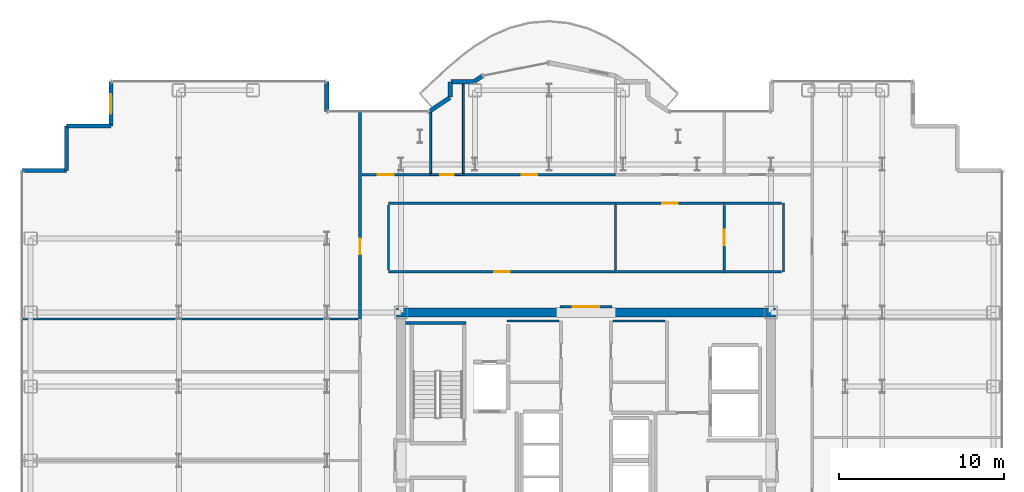
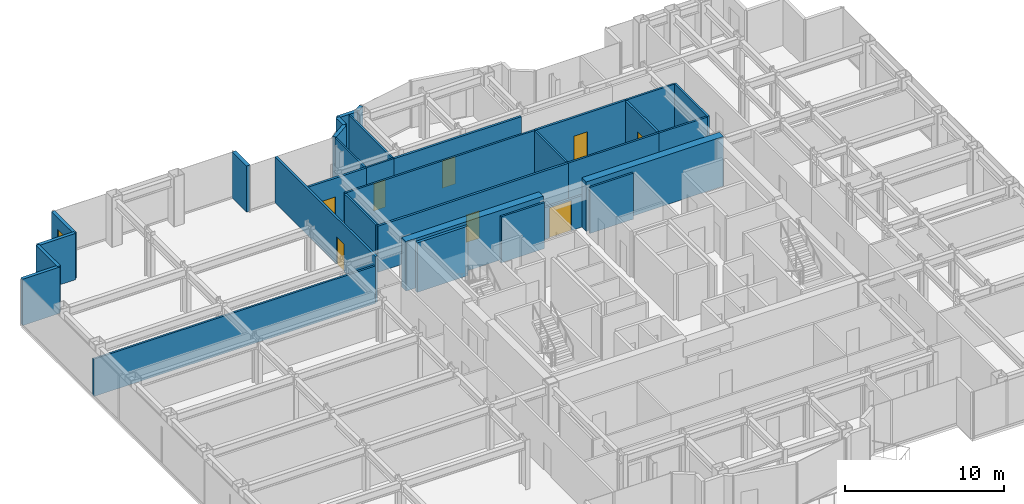
# One storey, part 19 of 22: 32 walls, 8 doors, 1 window, 9 openings.
"""IFC4 building model written with IfcOpenShell, lengths in metres."""

from ifc_helpers import new_model, si_unit, direction, frame, frame_2d, origin, place, context, subcontext, project, spatial, rectangle, extrude, source, transform, mapped, material, layer, layer_set, type_object, element, fill, save


model = new_model("IFC4")

# Units and contexts
model_context = context("Model", 3, precision=1e-05, world=origin(), true_north=direction((0.0, 1.0)))
body_context = subcontext(model_context, "Body", "Model", "MODEL_VIEW")
ifc_project = project(units=[si_unit("LENGTHUNIT", "METRE"), si_unit("AREAUNIT", "SQUARE_METRE"), si_unit("VOLUMEUNIT", "CUBIC_METRE"), si_unit("PLANEANGLEUNIT", "RADIAN"), si_unit("MASSUNIT", "GRAM", prefix="KILO")], contexts=[model_context])

# Site, building, storey
site_placement = place(None, origin())
site = spatial("IfcSite", under=ifc_project, at=site_placement, CompositionType="ELEMENT")
building_placement = place(site_placement, origin())
building = spatial("IfcBuilding", under=site, at=building_placement, Name="Nefas-Gora Pilgrimage Tower", CompositionType="ELEMENT")
storey_placement = place(building_placement, frame((0.0, 0.0, 186.800048828125)))
storey = spatial("IfcBuildingStorey", under=building, at=storey_placement, Name="L46", CompositionType="ELEMENT", Elevation=186.800048828125)

# Walls
ifc_material_1 = material(Name="Concrete C60/75", Category="concrete")
ifc_layer_1 = layer(ifc_material_1, 0.550048828125)
ifc_layer_set_1 = layer_set([ifc_layer_1], Name="Concrete C60/75")
wall_type_1 = type_object("IfcWallType", Name="SW-CORE-550", PredefinedType="SHEAR", material=ifc_layer_set_1)
shared_shape_1 = source(origin(), body_context, "Body", "SweptSolid", [
    extrude(rectangle(XDim=9.974853515625, YDim=0.550048828125, at=frame_2d((4.9873046875, 0.0))), origin(), (0.0, 0.0, 1.0), 3.800048828125),
])
for number, where, z_axis, x_axis, name in (
    (1, (-11.52490234375, 9.0, 0.0), (0.0, 0.0, 1.0), (1.0, 0.0, 0.0), "L46 Core Shear Wall N-West"),
    (2, (1.550048828125, 9.0, 0.0), (0.0, 0.0, 1.0), (1.0, 0.0, 0.0), "L46 Core Shear Wall N-East"),
):
    element("IfcWall", number, at=place(storey_placement, frame(where, z_axis=z_axis, x_axis=x_axis)), inside=storey, type_object=wall_type_1, Name=name, PredefinedType="SHEAR", context=body_context, shape_type="MappedRepresentation", body=[
        mapped(shared_shape_1, transform((0.0, 0.0, 0.0), x_axis=(1.0, 0.0, 0.0), y_axis=(0.0, 1.0, 0.0), z_axis=(0.0, 0.0, 1.0), scale=1.0)),
    ])
ifc_material_2 = material(Name="Precast concrete C40/50", Category="concrete")
ifc_layer_2 = layer(ifc_material_2, 0.260009765625)
ifc_layer_set_2 = layer_set([ifc_layer_2], Name="Precast concrete C40/50")
wall_type_2 = type_object("IfcWallType", Name="EW-PORTAL-260", PredefinedType="SOLIDWALL", material=ifc_layer_set_2)
shared_shape_2 = source(origin(), body_context, "Body", "SweptSolid", [
    extrude(rectangle(XDim=1.800048828125, YDim=0.260009765625, at=frame_2d((0.89990234375, 0.0))), origin(), (0.0, 0.0, 1.0), 3.550048828125),
])
wall_1_placement = place(storey_placement, frame((-15.75, 21.219970703125, 0.0), z_axis=(0.0, 0.0, 1.0), x_axis=(0.0, 1.0, 0.0)))
element("IfcWall", 3, at=wall_1_placement, inside=storey, type_object=wall_type_2, Name="L46 Lobe Shoulder Precast Spandrel Pier 20", PredefinedType="SOLIDWALL", context=body_context, shape_type="MappedRepresentation", body=[
    mapped(shared_shape_2, transform((0.0, 0.0, 0.0), x_axis=(1.0, 0.0, 0.0), y_axis=(0.0, 1.0, 0.0), z_axis=(0.0, 0.0, 1.0), scale=1.0)),
])

# Wall, opening, window
ifc_material_3 = material(Name="Precast concrete C45/55", Category="concrete")
ifc_layer_3 = layer(ifc_material_3, 0.239990234375)
ifc_layer_set_3 = layer_set([ifc_layer_3], Name="Precast concrete C45/55")
wall_type_3 = type_object("IfcWallType", Name="EW-SERR-240", PredefinedType="SHEAR", material=ifc_layer_set_3)
shared_shape_3 = source(origin(), body_context, "Body", "SweptSolid", [
    extrude(rectangle(XDim=2.699951171875, YDim=0.239990234375, at=frame_2d((1.35009765625, 0.0))), origin(), (0.0, 0.0, 1.0), 3.550048828125),
])
wall_2_placement = place(storey_placement, frame((-28.8701171875, 23.02001953125, 0.0), z_axis=(0.0, 0.0, 1.0), x_axis=(0.0, -1.0, 0.0)))
wall_2 = element("IfcWall", 4, at=wall_2_placement, inside=storey, type_object=wall_type_3, Name="L46 Serrated Corner Shear Pier Wall 21", PredefinedType="SHEAR", context=body_context, shape_type="MappedRepresentation", body=[
    mapped(shared_shape_3, transform((0.0, 0.0, 0.0), x_axis=(1.0, 0.0, 0.0), y_axis=(0.0, 1.0, 0.0), z_axis=(0.0, 0.0, 1.0), scale=1.0)),
])
opening_1_placement = place(wall_2_placement, frame((0.75, 0.0, 0.85009765625)))
opening_1 = element("IfcOpeningElement", 5, at=opening_1_placement, cuts=wall_2, Name="Opening W-V1", PredefinedType="OPENING", context=body_context, shape_type="SweptSolid", body=[
    extrude(rectangle(XDim=1.199951171875, YDim=1.800048828125, at=frame_2d((0.60009765625, 0.89990234375))), frame((0.0, 0.1298828125, 0.0), z_axis=(0.0, -1.0, 0.0), x_axis=(1.0, 0.0, 0.0)), (0.0, 0.0, 1.0), 0.260009765625),
])
ifc_material_4 = material(Name="Dark ceramic-fritted operable aluminium-glass window", Category="aluminium")
window_type = type_object("IfcWindowType", Name="WIN-VENT-1200x1800", PartitioningType="SINGLE_PANEL", PredefinedType="WINDOW", material=ifc_material_4)
shared_shape_4 = source(origin(), body_context, "Body", "SweptSolid", [
    extrude(rectangle(XDim=1.199951171875, YDim=1.800048828125, at=frame_2d((0.60009765625, 0.89990234375))), frame((0.0, 0.030029296875, 0.0), z_axis=(0.0, -1.0, 0.0), x_axis=(1.0, 0.0, 0.0)), (0.0, 0.0, 1.0), 0.06005859375),
])
window_placement = place(opening_1_placement, origin())
window = element("IfcWindow", 6, at=window_placement, inside=storey, type_object=window_type, Name="L46 Operable Parallel-Outswing Window 21", OverallHeight=1.800048828125, OverallWidth=1.199951171875, PartitioningType="SINGLE_PANEL", PredefinedType="WINDOW", context=body_context, shape_type="MappedRepresentation", body=[
    mapped(shared_shape_4, transform((0.0, 0.0, 0.0), x_axis=(1.0, 0.0, 0.0), y_axis=(0.0, 1.0, 0.0), z_axis=(0.0, 0.0, 1.0), scale=1.0)),
])
fill(opening_1, window)

# Walls
for number, where, z_axis, x_axis, name in (
    (7, (-28.8701171875, 20.320068359375, 0.0), (0.0, 0.0, 1.0), (-1.0, 0.0, 0.0), "L46 Serrated Corner Shear Pier Wall 22"),
    (8, (-31.570068359375, 20.320068359375, 0.0), (0.0, 0.0, 1.0), (0.0, -1.0, 0.0), "L46 Serrated Corner Shear Pier Wall 23"),
    (9, (-31.570068359375, 17.6201171875, 0.0), (0.0, 0.0, 1.0), (-1.0, 0.0, 0.0), "L46 Serrated Corner Shear Pier Wall 24"),
):
    element("IfcWall", number, at=place(storey_placement, frame(where, z_axis=z_axis, x_axis=x_axis)), inside=storey, type_object=wall_type_3, Name=name, PredefinedType="SHEAR", context=body_context, shape_type="MappedRepresentation", body=[
        mapped(shared_shape_3, transform((0.0, 0.0, 0.0), x_axis=(1.0, 0.0, 0.0), y_axis=(0.0, 1.0, 0.0), z_axis=(0.0, 0.0, 1.0), scale=1.0)),
    ])
shared_shape_5 = source(origin(), body_context, "Body", "SweptSolid", [
    extrude(rectangle(XDim=1.468994140625, YDim=0.260009765625, at=frame_2d((0.734375, 0.0))), origin(), (0.0, 0.0, 1.0), 3.550048828125),
])
wall_3_placement = place(storey_placement, frame((-8.273193359375, 22.0517578125, 0.0), z_axis=(0.0, 0.0, 1.0), x_axis=(-0.831461760506, -0.555581983884, 0.0)))
element("IfcWall", 10, at=wall_3_placement, inside=storey, type_object=wall_type_2, Name="L46 Lobe Shoulder Precast Spandrel Pier 19", PredefinedType="SOLIDWALL", context=body_context, shape_type="MappedRepresentation", body=[
    mapped(shared_shape_5, transform((0.0, 0.0, 0.0), x_axis=(1.0, 0.0, 0.0), y_axis=(0.0, 1.0, 0.0), z_axis=(0.0, 0.0, 1.0), scale=1.0)),
])
shared_shape_6 = source(origin(), body_context, "Body", "SweptSolid", [
    extrude(rectangle(XDim=0.896728515625, YDim=0.260009765625, at=frame_2d((0.4482421875, 0.0))), origin(), (0.0, 0.0, 1.0), 3.550048828125),
])
wall_4_placement = place(storey_placement, frame((-8.25, 22.991943359375, 0.0), z_axis=(0.0, 0.0, 1.0), x_axis=(0.0, -1.0, 0.0)))
element("IfcWall", 11, at=wall_4_placement, inside=storey, type_object=wall_type_2, Name="L46 Lobe Shoulder Precast Spandrel Pier 18", PredefinedType="SOLIDWALL", context=body_context, shape_type="MappedRepresentation", body=[
    mapped(shared_shape_6, transform((0.0, 0.0, 0.0), x_axis=(1.0, 0.0, 0.0), y_axis=(0.0, 1.0, 0.0), z_axis=(0.0, 0.0, 1.0), scale=1.0)),
])
shared_shape_7 = source(origin(), body_context, "Body", "SweptSolid", [
    extrude(rectangle(XDim=1.369873046875, YDim=0.260009765625, at=frame_2d((0.68505859375, 0.0))), origin(), (0.0, 0.0, 1.0), 3.550048828125),
])
wall_5_placement = place(storey_placement, frame((-6.85205078125, 23.02001953125, 0.0), z_axis=(0.0, 0.0, 1.0), x_axis=(-1.0, 0.0, 0.0)))
element("IfcWall", 12, at=wall_5_placement, inside=storey, type_object=wall_type_2, Name="L46 Lobe Shoulder Precast Spandrel Pier 17", PredefinedType="SOLIDWALL", context=body_context, shape_type="MappedRepresentation", body=[
    mapped(shared_shape_7, transform((0.0, 0.0, 0.0), x_axis=(1.0, 0.0, 0.0), y_axis=(0.0, 1.0, 0.0), z_axis=(0.0, 0.0, 1.0), scale=1.0)),
])
shared_shape_8 = source(origin(), body_context, "Body", "SweptSolid", [
    extrude(rectangle(XDim=0.5654296875, YDim=0.260009765625, at=frame_2d((0.28271484375, 0.0))), origin(), (0.0, 0.0, 1.0), 3.550048828125),
])
wall_6_placement = place(storey_placement, frame((-6.33056640625, 23.349609375, 0.0), z_axis=(0.0, 0.0, 1.0), x_axis=(-0.831651492666, -0.555297933317, 0.0)))
element("IfcWall", 13, at=wall_6_placement, inside=storey, type_object=wall_type_2, Name="L46 Lobe Shoulder Precast Spandrel Pier 16", PredefinedType="SOLIDWALL", context=body_context, shape_type="MappedRepresentation", body=[
    mapped(shared_shape_8, transform((0.0, 0.0, 0.0), x_axis=(1.0, 0.0, 0.0), y_axis=(0.0, 1.0, 0.0), z_axis=(0.0, 0.0, 1.0), scale=1.0)),
])
ifc_material_5 = material(Name="Concrete C45/55", Category="concrete")
ifc_layer_4 = layer(ifc_material_5, 0.199951171875)
ifc_layer_set_4 = layer_set([ifc_layer_4], Name="Concrete C45/55")
wall_type_4 = type_object("IfcWallType", Name="IW-STAIR-200", PredefinedType="SOLIDWALL", material=ifc_layer_set_4)
shared_shape_9 = source(origin(), body_context, "Body", "SweptSolid", [
    extrude(rectangle(XDim=3.679931640625, YDim=0.199951171875, at=frame_2d((1.83984375, 0.0))), origin(), (0.0, 0.0, 1.0), 3.800048828125),
])
wall_7_placement = place(storey_placement, frame((-7.300048828125, 8.35009765625, 0.0), z_axis=(0.0, 0.0, 1.0), x_axis=(-1.0, 0.0, 0.0)))
element("IfcWall", 14, at=wall_7_placement, inside=storey, type_object=wall_type_4, Name="L46 Stairwell Shear Wall ST-01-far", PredefinedType="SOLIDWALL", context=body_context, shape_type="MappedRepresentation", body=[
    mapped(shared_shape_9, transform((0.0, 0.0, 0.0), x_axis=(1.0, 0.0, 0.0), y_axis=(0.0, 1.0, 0.0), z_axis=(0.0, 0.0, 1.0), scale=1.0)),
])

# Wall, opening, door
ifc_material_6 = material(Name="Moisture-resistant fire-rated gypsum partition")
ifc_layer_5 = layer(ifc_material_6, 0.1201171875)
ifc_layer_set_5 = layer_set([ifc_layer_5], Name="Moisture-resistant fire-rated gypsum partition")
wall_type_5 = type_object("IfcWallType", Name="IW-WET-120", PredefinedType="PLUMBINGWALL", material=ifc_layer_set_5)
shared_shape_10 = source(origin(), body_context, "Body", "SweptSolid", [
    extrude(rectangle(XDim=2.02001953125, YDim=0.1201171875, at=frame_2d((1.010009765625, 0.0))), origin(), (0.0, 0.0, 1.0), 3.534912109375),
])
wall_8_placement = place(storey_placement, frame((-9.4599609375, 17.3701171875, 0.0), z_axis=(0.0, 0.0, 1.0), x_axis=(1.0, 0.0, 0.0)))
wall_8 = element("IfcWall", 15, at=wall_8_placement, inside=storey, type_object=wall_type_5, Name="L46 Accessible Unisex WC Partition Wall 29", PredefinedType="PLUMBINGWALL", context=body_context, shape_type="MappedRepresentation", body=[
    mapped(shared_shape_10, transform((0.0, 0.0, 0.0), x_axis=(1.0, 0.0, 0.0), y_axis=(0.0, 1.0, 0.0), z_axis=(0.0, 0.0, 1.0), scale=1.0)),
])
opening_2_placement = place(wall_8_placement, frame((0.5849609375, 0.0, 0.0)))
opening_2 = element("IfcOpeningElement", 16, at=opening_2_placement, cuts=wall_8, Name="Opening ID-BT1", PredefinedType="OPENING", context=body_context, shape_type="SweptSolid", body=[
    extrude(rectangle(XDim=0.85009765625, YDim=2.10009765625, at=frame_2d((0.425048828125, 1.050048828125))), frame((0.0, 0.070068359375, 0.0), z_axis=(0.0, -1.0, 0.0), x_axis=(1.0, 0.0, 0.0)), (0.0, 0.0, 1.0), 0.14013671875),
])
ifc_material_7 = material(Name="Moisture-resistant fire-rated timber door", Category="wood")
door_type_1 = type_object("IfcDoorType", Name="DR-INT-BATH-850", OperationType="NOTDEFINED", PredefinedType="DOOR", material=ifc_material_7)
shared_shape_11 = source(origin(), body_context, "Body", "SweptSolid", [
    extrude(rectangle(XDim=0.85009765625, YDim=2.10009765625, at=frame_2d((0.425048828125, 1.050048828125))), frame((0.0, 0.02490234375, 0.0), z_axis=(0.0, -1.0, 0.0), x_axis=(1.0, 0.0, 0.0)), (0.0, 0.0, 1.0), 0.050048828125),
])
door_1_placement = place(opening_2_placement, origin())
door_1 = element("IfcDoor", 17, at=door_1_placement, inside=storey, type_object=door_type_1, Name="L46 Accessible Unisex WC Door 12", OperationType="SINGLE_SWING_LEFT", OverallHeight=2.10009765625, OverallWidth=0.85009765625, PredefinedType="DOOR", context=body_context, shape_type="MappedRepresentation", body=[
    mapped(shared_shape_11, transform((0.0, 0.0, 0.0), x_axis=(1.0, 0.0, 0.0), y_axis=(0.0, 1.0, 0.0), z_axis=(0.0, 0.0, 1.0), scale=1.0)),
])
fill(opening_2, door_1)

# Walls
ifc_material_8 = material(Name="Gypsum twin-stud partition")
ifc_layer_6 = layer(ifc_material_8, 0.139892578125)
ifc_layer_set_6 = layer_set([ifc_layer_6], Name="Gypsum twin-stud partition")
wall_type_6 = type_object("IfcWallType", Name="IW-UNIT-140", PredefinedType="PARTITIONING", material=ifc_layer_set_6)
shared_shape_12 = source(origin(), body_context, "Body", "SweptSolid", [
    extrude(rectangle(XDim=3.150146484375, YDim=0.139892578125, at=frame_2d((1.5751953125, 0.0))), origin(), (0.0, 0.0, 1.0), 3.534912109375),
])
for number, where, z_axis, x_axis, name in (
    (18, (-4.7900390625, 8.47998046875, 0.0), (0.0, 0.0, 1.0), (1.0, 0.0, 0.0), "L46 Archival Supply Store Partition Wall 21"),
    (19, (1.639892578125, 8.47998046875, 0.0), (0.0, 0.0, 1.0), (1.0, 0.0, 0.0), "L46 Amenity Supply Store Partition Wall 25"),
):
    element("IfcWall", number, at=place(storey_placement, frame(where, z_axis=z_axis, x_axis=x_axis)), inside=storey, type_object=wall_type_6, Name=name, PredefinedType="PARTITIONING", context=body_context, shape_type="MappedRepresentation", body=[
        mapped(shared_shape_12, transform((0.0, 0.0, 0.0), x_axis=(1.0, 0.0, 0.0), y_axis=(0.0, 1.0, 0.0), z_axis=(0.0, 0.0, 1.0), scale=1.0)),
    ])

# Wall, opening, door
ifc_material_9 = material(Name="Gypsum acoustic stud partition")
ifc_layer_7 = layer(ifc_material_9, 0.159912109375)
ifc_layer_set_7 = layer_set([ifc_layer_7], Name="Gypsum acoustic stud partition")
wall_type_7 = type_object("IfcWallType", Name="IW-CORR-160", PredefinedType="PARTITIONING", material=ifc_layer_set_7)
shared_shape_13 = source(origin(), body_context, "Body", "SweptSolid", [
    extrude(rectangle(XDim=12.64501953125, YDim=0.159912109375, at=frame_2d((6.322509765625, 0.0))), origin(), (0.0, 0.0, 1.0), 3.534912109375),
])
wall_9_placement = place(storey_placement, frame((-13.739990234375, 8.594970703125, 0.0), z_axis=(0.0, 0.0, 1.0), x_axis=(0.0, 1.0, 0.0)))
wall_9 = element("IfcWall", 20, at=wall_9_placement, inside=storey, type_object=wall_type_7, Name="L46 Pilgrim Contemplative Lounge Partition Wall 42", PredefinedType="PARTITIONING", context=body_context, shape_type="MappedRepresentation", body=[
    mapped(shared_shape_13, transform((0.0, 0.0, 0.0), x_axis=(1.0, 0.0, 0.0), y_axis=(0.0, 1.0, 0.0), z_axis=(0.0, 0.0, 1.0), scale=1.0)),
])
opening_3_placement = place(wall_9_placement, frame((3.9326171875, 0.0, 0.0)))
opening_3 = element("IfcOpeningElement", 21, at=opening_3_placement, cuts=wall_9, Name="Opening ID-GR1", PredefinedType="OPENING", context=body_context, shape_type="SweptSolid", body=[
    extrude(rectangle(XDim=0.949951171875, YDim=2.10009765625, at=frame_2d((0.47509765625, 1.050048828125))), frame((0.0, 0.08984375, 0.0), z_axis=(0.0, -1.0, 0.0), x_axis=(1.0, 0.0, 0.0)), (0.0, 0.0, 1.0), 0.179931640625),
])
ifc_material_10 = material(Name="Solid core oak fire-rated guest entrance door")
door_type_2 = type_object("IfcDoorType", Name="DR-INT-GUEST-950", OperationType="NOTDEFINED", PredefinedType="DOOR", material=ifc_material_10)
shared_shape_14 = source(origin(), body_context, "Body", "SweptSolid", [
    extrude(rectangle(XDim=0.949951171875, YDim=2.10009765625, at=frame_2d((0.47509765625, 1.050048828125))), frame((0.0, 0.02490234375, 0.0), z_axis=(0.0, -1.0, 0.0), x_axis=(1.0, 0.0, 0.0)), (0.0, 0.0, 1.0), 0.050048828125),
])
door_2_placement = place(opening_3_placement, origin())
door_2 = element("IfcDoor", 22, at=door_2_placement, inside=storey, type_object=door_type_2, Name="L46 Pilgrim Contemplative Lounge Door 18", OperationType="SINGLE_SWING_LEFT", OverallHeight=2.10009765625, OverallWidth=0.949951171875, PredefinedType="DOOR", context=body_context, shape_type="MappedRepresentation", body=[
    mapped(shared_shape_14, transform((0.0, 0.0, 0.0), x_axis=(1.0, 0.0, 0.0), y_axis=(0.0, 1.0, 0.0), z_axis=(0.0, 0.0, 1.0), scale=1.0)),
])
fill(opening_3, door_2)

shared_shape_15 = source(origin(), body_context, "Body", "SweptSolid", [
    extrude(rectangle(XDim=6.610107421875, YDim=0.159912109375, at=frame_2d((3.30517578125, 0.0))), origin(), (0.0, 0.0, 1.0), 3.534912109375),
])
wall_10_placement = place(storey_placement, frame((1.794921875, 15.6298828125, 0.0), z_axis=(0.0, 0.0, 1.0), x_axis=(1.0, 0.0, 0.0)))
wall_10 = element("IfcWall", 23, at=wall_10_placement, inside=storey, type_object=wall_type_7, Name="L46 Pastoral Chaplains Counselling Office Partition Wall 61", PredefinedType="PARTITIONING", context=body_context, shape_type="MappedRepresentation", body=[
    mapped(shared_shape_15, transform((0.0, 0.0, 0.0), x_axis=(1.0, 0.0, 0.0), y_axis=(0.0, 1.0, 0.0), z_axis=(0.0, 0.0, 1.0), scale=1.0)),
])
opening_4_placement = place(wall_10_placement, frame((2.830078125, 0.0, 0.0)))
opening_4 = element("IfcOpeningElement", 24, at=opening_4_placement, cuts=wall_10, Name="Opening ID-GR1", PredefinedType="OPENING", context=body_context, shape_type="SweptSolid", body=[
    extrude(rectangle(XDim=0.949951171875, YDim=2.10009765625, at=frame_2d((0.47509765625, 1.050048828125))), frame((0.0, 0.08984375, 0.0), z_axis=(0.0, -1.0, 0.0), x_axis=(1.0, 0.0, 0.0)), (0.0, 0.0, 1.0), 0.179931640625),
])
door_3_placement = place(opening_4_placement, origin())
door_3 = element("IfcDoor", 25, at=door_3_placement, inside=storey, type_object=door_type_2, Name="L46 Pastoral Chaplains Counselling Office Door 28", OperationType="SINGLE_SWING_LEFT", OverallHeight=2.10009765625, OverallWidth=0.949951171875, PredefinedType="DOOR", context=body_context, shape_type="MappedRepresentation", body=[
    mapped(shared_shape_14, transform((0.0, 0.0, 0.0), x_axis=(1.0, 0.0, 0.0), y_axis=(0.0, 1.0, 0.0), z_axis=(0.0, 0.0, 1.0), scale=1.0)),
])
fill(opening_4, door_3)

shared_shape_16 = source(origin(), body_context, "Body", "SweptSolid", [
    extrude(rectangle(XDim=3.16015625, YDim=0.159912109375, at=frame_2d((1.580078125, 0.0))), origin(), (0.0, 0.0, 1.0), 2.425048828125),
])
wall_11_placement = place(storey_placement, frame((-1.580078125, 9.35009765625, 0.0), z_axis=(0.0, 0.0, 1.0), x_axis=(1.0, 0.0, 0.0)))
wall_11 = element("IfcWall", 26, at=wall_11_placement, inside=storey, type_object=wall_type_7, Name="L46 Central Lift Lobby North Portal Wall 15", PredefinedType="PARTITIONING", context=body_context, shape_type="MappedRepresentation", body=[
    mapped(shared_shape_16, transform((0.0, 0.0, 0.0), x_axis=(1.0, 0.0, 0.0), y_axis=(0.0, 1.0, 0.0), z_axis=(0.0, 0.0, 1.0), scale=1.0)),
])
opening_5_placement = place(wall_11_placement, frame((0.780029296875, 0.0, 0.0)))
opening_5 = element("IfcOpeningElement", 27, at=opening_5_placement, cuts=wall_11, Name="Opening ID-HL1", PredefinedType="OPENING", context=body_context, shape_type="SweptSolid", body=[
    extrude(rectangle(XDim=1.60009765625, YDim=2.300048828125, at=frame_2d((0.800048828125, 1.14990234375))), frame((0.0, 0.08984375, 0.0), z_axis=(0.0, -1.0, 0.0), x_axis=(1.0, 0.0, 0.0)), (0.0, 0.0, 1.0), 0.179931640625),
])
ifc_material_11 = material(Name="Double acoustic timber assembly hall door", Category="wood")
door_type_3 = type_object("IfcDoorType", Name="DR-INT-HALL-1600", OperationType="DOUBLE_DOOR_SINGLE_SWING", PredefinedType="DOOR", material=ifc_material_11)
shared_shape_17 = source(origin(), body_context, "Body", "SweptSolid", [
    extrude(rectangle(XDim=1.60009765625, YDim=2.300048828125, at=frame_2d((0.800048828125, 1.14990234375))), frame((0.0, 0.02490234375, 0.0), z_axis=(0.0, -1.0, 0.0), x_axis=(1.0, 0.0, 0.0)), (0.0, 0.0, 1.0), 0.050048828125),
])
door_4_placement = place(opening_5_placement, origin())
door_4 = element("IfcDoor", 28, at=door_4_placement, inside=storey, type_object=door_type_3, Name="L46 Central Lift Lobby North Portal Door 5", OperationType="DOUBLE_DOOR_SINGLE_SWING", OverallHeight=2.300048828125, OverallWidth=1.60009765625, PredefinedType="DOOR", context=body_context, shape_type="MappedRepresentation", body=[
    mapped(shared_shape_17, transform((0.0, 0.0, 0.0), x_axis=(1.0, 0.0, 0.0), y_axis=(0.0, 1.0, 0.0), z_axis=(0.0, 0.0, 1.0), scale=1.0)),
])
fill(opening_5, door_4)

# Walls
shared_shape_18 = source(origin(), body_context, "Body", "SweptSolid", [
    extrude(rectangle(XDim=20.429931640625, YDim=0.139892578125, at=frame_2d((10.21484375, 0.0))), origin(), (0.0, 0.0, 1.0), 2.875),
])
wall_12_placement = place(storey_placement, frame((-34.2900390625, 8.594970703125, 0.0), z_axis=(0.0, 0.0, 1.0), x_axis=(1.0, 0.0, 0.0)))
element("IfcWall", 29, at=wall_12_placement, inside=storey, type_object=wall_type_6, Name="L46 Pilgrim Fellowship Seminar Room Partition Wall 41", PredefinedType="PARTITIONING", context=body_context, shape_type="MappedRepresentation", body=[
    mapped(shared_shape_18, transform((0.0, 0.0, 0.0), x_axis=(1.0, 0.0, 0.0), y_axis=(0.0, 1.0, 0.0), z_axis=(0.0, 0.0, 1.0), scale=1.0)),
])
shared_shape_19 = source(origin(), body_context, "Body", "SweptSolid", [
    extrude(rectangle(XDim=5.380126953125, YDim=0.1201171875, at=frame_2d((2.68994140625, 0.0))), origin(), (0.0, 0.0, 1.0), 3.534912109375),
])
wall_13_placement = place(storey_placement, frame((-7.449951171875, 17.469970703125, 0.0), z_axis=(0.0, 0.0, 1.0), x_axis=(0.0, 1.0, 0.0)))
element("IfcWall", 30, at=wall_13_placement, inside=storey, type_object=wall_type_5, Name="L46 Accessible Unisex WC Partition Wall 30", PredefinedType="PLUMBINGWALL", context=body_context, shape_type="MappedRepresentation", body=[
    mapped(shared_shape_19, transform((0.0, 0.0, 0.0), x_axis=(1.0, 0.0, 0.0), y_axis=(0.0, 1.0, 0.0), z_axis=(0.0, 0.0, 1.0), scale=1.0)),
])
shared_shape_20 = source(origin(), body_context, "Body", "SweptSolid", [
    extrude(rectangle(XDim=3.686767578125, YDim=0.1201171875, at=frame_2d((1.84326171875, 0.0))), origin(), (0.0, 0.0, 1.0), 3.534912109375),
])
wall_14_placement = place(storey_placement, frame((-9.449951171875, 17.469970703125, 0.0), z_axis=(0.0, 0.0, 1.0), x_axis=(0.0, 1.0, 0.0)))
element("IfcWall", 31, at=wall_14_placement, inside=storey, type_object=wall_type_5, Name="L46 Accessible Unisex WC Partition Wall 31", PredefinedType="PLUMBINGWALL", context=body_context, shape_type="MappedRepresentation", body=[
    mapped(shared_shape_20, transform((0.0, 0.0, 0.0), x_axis=(1.0, 0.0, 0.0), y_axis=(0.0, 1.0, 0.0), z_axis=(0.0, 0.0, 1.0), scale=1.0)),
])
shared_shape_21 = source(origin(), body_context, "Body", "SweptSolid", [
    extrude(rectangle(XDim=3.929931640625, YDim=0.139892578125, at=frame_2d((1.96484375, 0.0))), origin(), (0.0, 0.0, 1.0), 3.534912109375),
])
for number, where, z_axis, x_axis, name in (
    (32, (-12.0, 11.590087890625, 0.0), (0.0, 0.0, 1.0), (0.0, 1.0, 0.0), "L46 Pilgrim Contemplative Lounge Partition Wall 54"),
    (33, (1.794921875, 11.590087890625, 0.0), (0.0, 0.0, 1.0), (0.0, 1.0, 0.0), "L46 Pilgrim Contemplative Lounge Partition Wall 55"),
):
    element("IfcWall", number, at=place(storey_placement, frame(where, z_axis=z_axis, x_axis=x_axis)), inside=storey, type_object=wall_type_6, Name=name, PredefinedType="PARTITIONING", context=body_context, shape_type="MappedRepresentation", body=[
        mapped(shared_shape_21, transform((0.0, 0.0, 0.0), x_axis=(1.0, 0.0, 0.0), y_axis=(0.0, 1.0, 0.0), z_axis=(0.0, 0.0, 1.0), scale=1.0)),
    ])

# Wall, opening, door
shared_shape_22 = source(origin(), body_context, "Body", "SweptSolid", [
    extrude(rectangle(XDim=4.16015625, YDim=0.159912109375, at=frame_2d((2.080078125, 0.0))), origin(), (0.0, 0.0, 1.0), 3.534912109375),
])
wall_15_placement = place(storey_placement, frame((-13.6201171875, 17.3701171875, 0.0), z_axis=(0.0, 0.0, 1.0), x_axis=(1.0, 0.0, 0.0)))
wall_15 = element("IfcWall", 34, at=wall_15_placement, inside=storey, type_object=wall_type_7, Name="L46 Pilgrim Contemplative Lounge Partition Wall 58", PredefinedType="PARTITIONING", context=body_context, shape_type="MappedRepresentation", body=[
    mapped(shared_shape_22, transform((0.0, 0.0, 0.0), x_axis=(1.0, 0.0, 0.0), y_axis=(0.0, 1.0, 0.0), z_axis=(0.0, 0.0, 1.0), scale=1.0)),
])
opening_6_placement = place(wall_15_placement, frame((0.968994140625, 0.0, 0.0)))
opening_6 = element("IfcOpeningElement", 35, at=opening_6_placement, cuts=wall_15, Name="Opening ID-GR1", PredefinedType="OPENING", context=body_context, shape_type="SweptSolid", body=[
    extrude(rectangle(XDim=0.949951171875, YDim=2.10009765625, at=frame_2d((0.47509765625, 1.050048828125))), frame((0.0, 0.08984375, 0.0), z_axis=(0.0, -1.0, 0.0), x_axis=(1.0, 0.0, 0.0)), (0.0, 0.0, 1.0), 0.179931640625),
])
door_5_placement = place(opening_6_placement, origin())
door_5 = element("IfcDoor", 36, at=door_5_placement, inside=storey, type_object=door_type_2, Name="L46 Pilgrim Contemplative Lounge Door 26", OperationType="SINGLE_SWING_LEFT", OverallHeight=2.10009765625, OverallWidth=0.949951171875, PredefinedType="DOOR", context=body_context, shape_type="MappedRepresentation", body=[
    mapped(shared_shape_14, transform((0.0, 0.0, 0.0), x_axis=(1.0, 0.0, 0.0), y_axis=(0.0, 1.0, 0.0), z_axis=(0.0, 0.0, 1.0), scale=1.0)),
])
fill(opening_6, door_5)

shared_shape_23 = source(origin(), body_context, "Body", "SweptSolid", [
    extrude(rectangle(XDim=3.929931640625, YDim=0.159912109375, at=frame_2d((1.96484375, 0.0))), origin(), (0.0, 0.0, 1.0), 3.534912109375),
])
wall_16_placement = place(storey_placement, frame((8.39501953125, 11.580078125, 0.0), z_axis=(0.0, 0.0, 1.0), x_axis=(0.0, 1.0, 0.0)))
wall_16 = element("IfcWall", 37, at=wall_16_placement, inside=storey, type_object=wall_type_7, Name="L46 Pastoral Chaplains Counselling Office Partition Wall 63", PredefinedType="PARTITIONING", context=body_context, shape_type="MappedRepresentation", body=[
    mapped(shared_shape_23, transform((0.0, 0.0, 0.0), x_axis=(1.0, 0.0, 0.0), y_axis=(0.0, 1.0, 0.0), z_axis=(0.0, 0.0, 1.0), scale=1.0)),
])
opening_7_placement = place(wall_16_placement, frame((1.489990234375, 0.0, 0.0)))
opening_7 = element("IfcOpeningElement", 38, at=opening_7_placement, cuts=wall_16, Name="Opening ID-GR1", PredefinedType="OPENING", context=body_context, shape_type="SweptSolid", body=[
    extrude(rectangle(XDim=0.949951171875, YDim=2.10009765625, at=frame_2d((0.47509765625, 1.050048828125))), frame((0.0, 0.08984375, 0.0), z_axis=(0.0, -1.0, 0.0), x_axis=(1.0, 0.0, 0.0)), (0.0, 0.0, 1.0), 0.179931640625),
])
door_6_placement = place(opening_7_placement, origin())
door_6 = element("IfcDoor", 39, at=door_6_placement, inside=storey, type_object=door_type_2, Name="L46 Scripture Reading Study Door 29", OperationType="SINGLE_SWING_RIGHT", OverallHeight=2.10009765625, OverallWidth=0.949951171875, PredefinedType="DOOR", context=body_context, shape_type="MappedRepresentation", body=[
    mapped(shared_shape_14, transform((0.0, 0.0, 0.0), x_axis=(1.0, 0.0, 0.0), y_axis=(0.0, 1.0, 0.0), z_axis=(0.0, 0.0, 1.0), scale=1.0)),
])
fill(opening_7, door_6)

# Walls
shared_shape_24 = source(origin(), body_context, "Body", "SweptSolid", [
    extrude(rectangle(XDim=4.179931640625, YDim=0.139892578125, at=frame_2d((2.08984375, 0.0))), origin(), (0.0, 0.0, 1.0), 3.534912109375),
])
wall_17_placement = place(storey_placement, frame((12.0, 11.4599609375, 0.0), z_axis=(0.0, 0.0, 1.0), x_axis=(0.0, 1.0, 0.0)))
element("IfcWall", 40, at=wall_17_placement, inside=storey, type_object=wall_type_6, Name="L46 Scripture Reading Study Partition Wall 65", PredefinedType="PARTITIONING", context=body_context, shape_type="MappedRepresentation", body=[
    mapped(shared_shape_24, transform((0.0, 0.0, 0.0), x_axis=(1.0, 0.0, 0.0), y_axis=(0.0, 1.0, 0.0), z_axis=(0.0, 0.0, 1.0), scale=1.0)),
])
shared_shape_25 = source(origin(), body_context, "Body", "SweptSolid", [
    extrude(rectangle(XDim=3.494873046875, YDim=0.139892578125, at=frame_2d((1.74755859375, 0.0))), origin(), (0.0, 0.0, 1.0), 3.534912109375),
])
for number, where, z_axis, x_axis, name in (
    (41, (8.39501953125, 15.6298828125, 0.0), (0.0, 0.0, 1.0), (1.0, 0.0, 0.0), "L46 Scripture Reading Study Partition Wall 66"),
    (42, (8.39501953125, 11.469970703125, 0.0), (0.0, 0.0, 1.0), (1.0, 0.0, 0.0), "L46 Scripture Reading Study Partition Wall 67"),
):
    element("IfcWall", number, at=place(storey_placement, frame(where, z_axis=z_axis, x_axis=x_axis)), inside=storey, type_object=wall_type_6, Name=name, PredefinedType="PARTITIONING", context=body_context, shape_type="MappedRepresentation", body=[
        mapped(shared_shape_25, transform((0.0, 0.0, 0.0), x_axis=(1.0, 0.0, 0.0), y_axis=(0.0, 1.0, 0.0), z_axis=(0.0, 0.0, 1.0), scale=1.0)),
    ])

# Wall, opening, door
shared_shape_26 = source(origin(), body_context, "Body", "SweptSolid", [
    extrude(rectangle(XDim=13.81494140625, YDim=0.159912109375, at=frame_2d((6.907470703125, 0.0))), origin(), (0.0, 0.0, 1.0), 3.534912109375),
])
wall_18_placement = place(storey_placement, frame((-12.010009765625, 11.469970703125, 0.0), z_axis=(0.0, 0.0, 1.0), x_axis=(1.0, 0.0, 0.0)))
wall_18 = element("IfcWall", 43, at=wall_18_placement, inside=storey, type_object=wall_type_7, Name="L46 Pilgrim Contemplative Lounge Partition Wall 52", PredefinedType="PARTITIONING", context=body_context, shape_type="MappedRepresentation", body=[
    mapped(shared_shape_26, transform((0.0, 0.0, 0.0), x_axis=(1.0, 0.0, 0.0), y_axis=(0.0, 1.0, 0.0), z_axis=(0.0, 0.0, 1.0), scale=1.0)),
])
opening_8_placement = place(wall_18_placement, frame((6.4326171875, 0.0, 0.0)))
opening_8 = element("IfcOpeningElement", 44, at=opening_8_placement, cuts=wall_18, Name="Opening ID-GR1", PredefinedType="OPENING", context=body_context, shape_type="SweptSolid", body=[
    extrude(rectangle(XDim=0.949951171875, YDim=2.10009765625, at=frame_2d((0.47509765625, 1.050048828125))), frame((0.0, 0.08984375, 0.0), z_axis=(0.0, -1.0, 0.0), x_axis=(1.0, 0.0, 0.0)), (0.0, 0.0, 1.0), 0.179931640625),
])
door_7_placement = place(opening_8_placement, origin())
door_7 = element("IfcDoor", 45, at=door_7_placement, inside=storey, type_object=door_type_2, Name="L46 Pilgrim Contemplative Lounge Door 24", OperationType="SINGLE_SWING_LEFT", OverallHeight=2.10009765625, OverallWidth=0.949951171875, PredefinedType="DOOR", context=body_context, shape_type="MappedRepresentation", body=[
    mapped(shared_shape_14, transform((0.0, 0.0, 0.0), x_axis=(1.0, 0.0, 0.0), y_axis=(0.0, 1.0, 0.0), z_axis=(0.0, 0.0, 1.0), scale=1.0)),
])
fill(opening_8, door_7)

# Wall
shared_shape_27 = source(origin(), body_context, "Body", "SweptSolid", [
    extrude(rectangle(XDim=13.81494140625, YDim=0.139892578125, at=frame_2d((6.907470703125, 0.0))), origin(), (0.0, 0.0, 1.0), 3.534912109375),
])
wall_19_placement = place(storey_placement, frame((-12.010009765625, 15.6298828125, 0.0), z_axis=(0.0, 0.0, 1.0), x_axis=(1.0, 0.0, 0.0)))
element("IfcWall", 46, at=wall_19_placement, inside=storey, type_object=wall_type_6, Name="L46 Pilgrim Contemplative Lounge Partition Wall 53", PredefinedType="PARTITIONING", context=body_context, shape_type="MappedRepresentation", body=[
    mapped(shared_shape_27, transform((0.0, 0.0, 0.0), x_axis=(1.0, 0.0, 0.0), y_axis=(0.0, 1.0, 0.0), z_axis=(0.0, 0.0, 1.0), scale=1.0)),
])

# Wall, opening, door
shared_shape_28 = source(origin(), body_context, "Body", "SweptSolid", [
    extrude(rectangle(XDim=9.244873046875, YDim=0.159912109375, at=frame_2d((4.62255859375, 0.0))), origin(), (0.0, 0.0, 1.0), 3.534912109375),
])
wall_20_placement = place(storey_placement, frame((-7.43994140625, 17.3701171875, 0.0), z_axis=(0.0, 0.0, 1.0), x_axis=(1.0, 0.0, 0.0)))
wall_20 = element("IfcWall", 47, at=wall_20_placement, inside=storey, type_object=wall_type_7, Name="L46 Pilgrim Contemplative Lounge Partition Wall 56", PredefinedType="PARTITIONING", context=body_context, shape_type="MappedRepresentation", body=[
    mapped(shared_shape_28, transform((0.0, 0.0, 0.0), x_axis=(1.0, 0.0, 0.0), y_axis=(0.0, 1.0, 0.0), z_axis=(0.0, 0.0, 1.0), scale=1.0)),
])
opening_9_placement = place(wall_20_placement, frame((3.52880859375, 0.0, 0.0)))
opening_9 = element("IfcOpeningElement", 48, at=opening_9_placement, cuts=wall_20, Name="Opening ID-GR1", PredefinedType="OPENING", context=body_context, shape_type="SweptSolid", body=[
    extrude(rectangle(XDim=0.949951171875, YDim=2.10009765625, at=frame_2d((0.47509765625, 1.050048828125))), frame((0.0, 0.08984375, 0.0), z_axis=(0.0, -1.0, 0.0), x_axis=(1.0, 0.0, 0.0)), (0.0, 0.0, 1.0), 0.179931640625),
])
door_8_placement = place(opening_9_placement, origin())
door_8 = element("IfcDoor", 49, at=door_8_placement, inside=storey, type_object=door_type_2, Name="L46 Pilgrim Contemplative Lounge Door 25", OperationType="SINGLE_SWING_RIGHT", OverallHeight=2.10009765625, OverallWidth=0.949951171875, PredefinedType="DOOR", context=body_context, shape_type="MappedRepresentation", body=[
    mapped(shared_shape_14, transform((0.0, 0.0, 0.0), x_axis=(1.0, 0.0, 0.0), y_axis=(0.0, 1.0, 0.0), z_axis=(0.0, 0.0, 1.0), scale=1.0)),
])
fill(opening_9, door_8)

# Wall
shared_shape_29 = source(origin(), body_context, "Body", "SweptSolid", [
    extrude(rectangle(XDim=6.610107421875, YDim=0.139892578125, at=frame_2d((3.30517578125, 0.0))), origin(), (0.0, 0.0, 1.0), 3.534912109375),
])
wall_21_placement = place(storey_placement, frame((1.794921875, 11.469970703125, 0.0), z_axis=(0.0, 0.0, 1.0), x_axis=(1.0, 0.0, 0.0)))
element("IfcWall", 50, at=wall_21_placement, inside=storey, type_object=wall_type_6, Name="L46 Pastoral Chaplains Counselling Office Partition Wall 62", PredefinedType="PARTITIONING", context=body_context, shape_type="MappedRepresentation", body=[
    mapped(shared_shape_29, transform((0.0, 0.0, 0.0), x_axis=(1.0, 0.0, 0.0), y_axis=(0.0, 1.0, 0.0), z_axis=(0.0, 0.0, 1.0), scale=1.0)),
])

save(model, "model.ifc")
